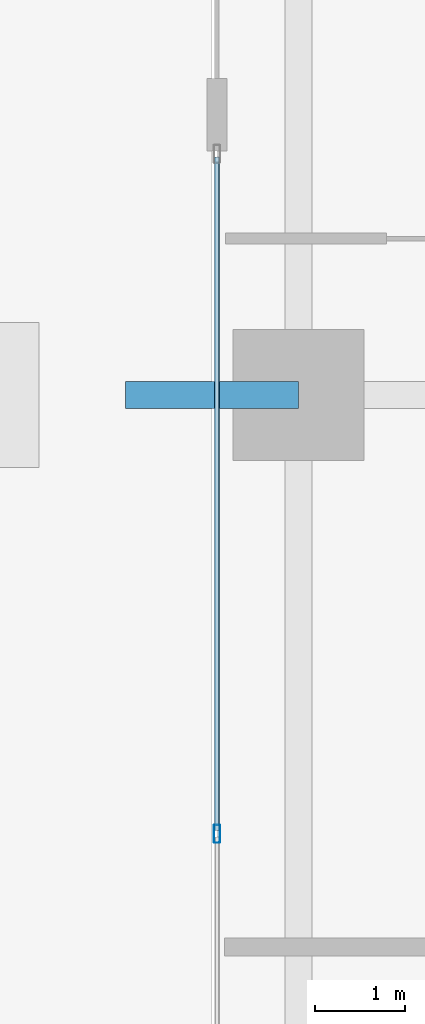
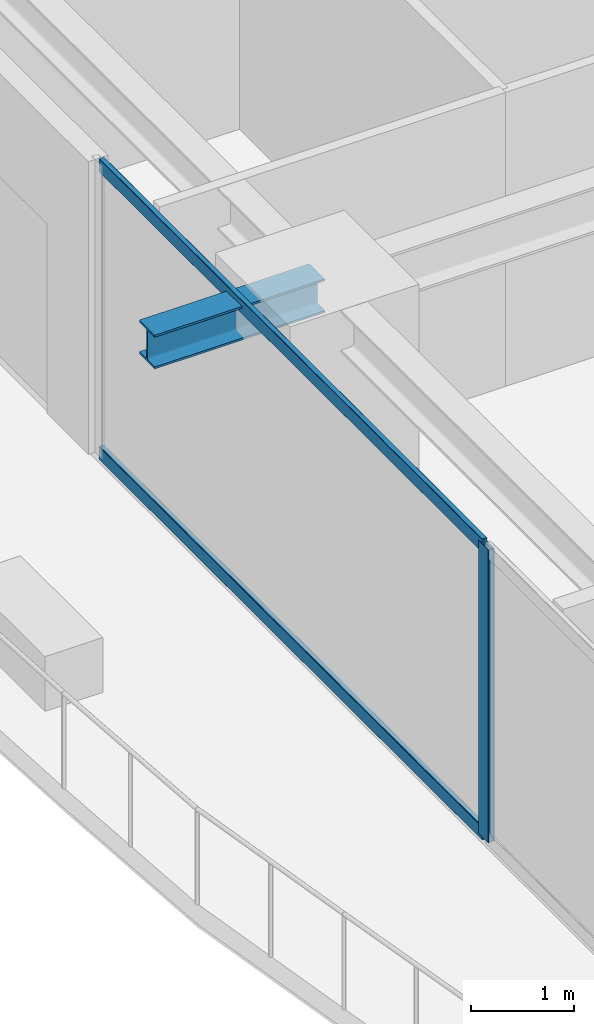
# One storey, part 7 of 41: 3 members, 1 beam, 1 element without a shape of its own.
"""IFC4 building model written with IfcOpenShell, lengths in metres."""

from ifc_helpers import new_model, si_unit, direction, frame, origin, origin_2d, place, context, subcontext, project, spatial, hollow_rectangle, i_section, extrude, source, transform, mapped, material, layer, layer_set, material_profile, profile_set, type_object, element, aggregate, save


model = new_model("IFC4")

# Units and contexts
model_context = context("Model", 3, precision=1e-05, world=origin(), true_north=direction((0.0, 1.0)))
body_context = subcontext(model_context, "Body", "Model", "MODEL_VIEW")
ifc_project = project(units=[si_unit("LENGTHUNIT", "METRE"), si_unit("AREAUNIT", "SQUARE_METRE"), si_unit("VOLUMEUNIT", "CUBIC_METRE"), si_unit("PLANEANGLEUNIT", "RADIAN"), si_unit("MASSUNIT", "GRAM", prefix="KILO")], contexts=[model_context])

# Site, building, storey
site_placement = place(None, origin())
site = spatial("IfcSite", under=ifc_project, at=site_placement, CompositionType="ELEMENT")
building_placement = place(site_placement, origin())
building = spatial("IfcBuilding", under=site, at=building_placement, Name="Serunith Strait Residences", CompositionType="ELEMENT")
storey_placement = place(building_placement, frame((0.0, 0.0, 75.449951171875)))
storey = spatial("IfcBuildingStorey", under=building, at=storey_placement, Name="L18", CompositionType="ELEMENT", Elevation=75.449951171875)

# Beam
ifc_material_1 = material(Name="Steel S355J2", Category="steel")
ifc_material_profile_1 = material_profile(ifc_material_1, i_section(OverallWidth=0.300048828125, OverallDepth=0.39990234375, WebThickness=0.013427734375, FlangeThickness=0.02392578125, FilletRadius=0.027099609375, at=origin_2d()), Name="HEB 400")
ifc_profile_set_1 = profile_set([ifc_material_profile_1], Name="Steel S355J2")
beam_type = type_object("IfcBeamType", Name="BM-HEB400", PredefinedType="BEAM", material=ifc_profile_set_1)
shared_shape_1 = source(origin(), body_context, "Body", "SweptSolid", [
    extrude(i_section(OverallWidth=0.300048828125, OverallDepth=0.39990234375, WebThickness=0.013427734375, FlangeThickness=0.02392578125, FilletRadius=0.027099609375, at=origin_2d()), origin(), (0.0, 0.0, 1.0), 1.909912109375),
])
beam_placement = place(storey_placement, frame((6.89990234375, 21.0, 3.257080078125), z_axis=(-1.0, 0.0, 0.0), x_axis=(0.0, -1.0, 0.0)))
element("IfcBeam", 1, at=beam_placement, inside=storey, type_object=beam_type, Name="L19 Cantilevered Balcony Rib TC-W2", PredefinedType="BEAM", context=body_context, shape_type="MappedRepresentation", body=[
    mapped(shared_shape_1, transform((0.0, 0.0, 0.0), scale=1.0)),
])

# Curtain wall, members
ifc_material_2 = material(Name="Pale-Champagne Anodised Aluminium", Category="aluminium")
ifc_layer = layer(ifc_material_2, 0.199951171875, Name="Pale-Champagne Anodised Aluminium")
ifc_layer_set = layer_set([ifc_layer], Name="Pale-Champagne Anodised Aluminium")
curtain_wall_type = type_object("IfcCurtainWallType", Name="CW-SYS1", PredefinedType="NOTDEFINED", material=ifc_layer_set)
curtain_wall_placement = place(storey_placement, origin())
curtain_wall = element("IfcCurtainWall", 2, at=curtain_wall_placement, inside=storey, type_object=curtain_wall_type, Name="L18 W Unitised Fritted Curtain Wall", PredefinedType="NOTDEFINED")
ifc_material_profile_2 = material_profile(ifc_material_2, hollow_rectangle(XDim=0.070068359375, YDim=0.199951171875, WallThickness=0.00390625, InnerFilletRadius=0.006103515625, OuterFilletRadius=0.010009765625, at=origin_2d()), Name="ALU 200x70x4")
ifc_profile_set_2 = profile_set([ifc_material_profile_2], Name="Pale-Champagne Anodised Aluminium")
member_type_1 = type_object("IfcMemberType", Name="CW-SYS1-MULL", PredefinedType="MULLION", material=ifc_profile_set_2)
shared_shape_2 = source(origin(), body_context, "Body", "SweptSolid", [
    extrude(hollow_rectangle(XDim=0.070068359375, YDim=0.199951171875, WallThickness=0.00390625, InnerFilletRadius=0.006103515625, OuterFilletRadius=0.010009765625, at=origin_2d()), origin(), (0.0, 0.0, 1.0), 3.47509765625),
])
member_1_placement = place(storey_placement, frame((6.0, 16.14990234375, 0.0), z_axis=(0.0, 0.0, 1.0), x_axis=(1.0, 0.0, 0.0)))
member_1 = element("IfcMember", 3, at=member_1_placement, type_object=member_type_1, Name="CW-1 mullion 2", PredefinedType="MULLION", context=body_context, shape_type="MappedRepresentation", body=[
    mapped(shared_shape_2, transform((0.0, 0.0, 0.0), scale=1.0)),
])
ifc_material_profile_3 = material_profile(ifc_material_2, hollow_rectangle(XDim=0.06005859375, YDim=0.159912109375, WallThickness=0.00341796875, InnerFilletRadius=0.00537109375, OuterFilletRadius=0.0087890625, at=origin_2d()), Name="ALU 160x60x3.5")
ifc_profile_set_3 = profile_set([ifc_material_profile_3], Name="Pale-Champagne Anodised Aluminium")
member_type_2 = type_object("IfcMemberType", Name="CW-SYS1-TRAN", PredefinedType="USERDEFINED", material=ifc_profile_set_3)
shared_shape_3 = source(origin(), body_context, "Body", "SweptSolid", [
    extrude(hollow_rectangle(XDim=0.06005859375, YDim=0.159912109375, WallThickness=0.00341796875, InnerFilletRadius=0.00537109375, OuterFilletRadius=0.0087890625, at=origin_2d()), origin(), (0.0, 0.0, 1.0), 7.44482421875),
])
member_2_placement = place(storey_placement, frame((6.0, 23.6298828125, 0.030029296875), z_axis=(0.0, -1.0, 0.0), x_axis=(1.0, 0.0, 0.0)))
member_2 = element("IfcMember", 4, at=member_2_placement, type_object=member_type_2, Name="CW-1 transom 1.1", ObjectType="TRANSOM", PredefinedType="USERDEFINED", context=body_context, shape_type="MappedRepresentation", body=[
    mapped(shared_shape_3, transform((0.0, 0.0, 0.0), scale=1.0)),
])
member_3_placement = place(storey_placement, frame((6.0, 23.6298828125, 3.445068359375), z_axis=(0.0, -1.0, 0.0), x_axis=(1.0, 0.0, 0.0)))
member_3 = element("IfcMember", 5, at=member_3_placement, type_object=member_type_2, Name="CW-1 transom 1.2", ObjectType="TRANSOM", PredefinedType="USERDEFINED", context=body_context, shape_type="MappedRepresentation", body=[
    mapped(shared_shape_3, transform((0.0, 0.0, 0.0), scale=1.0)),
])
aggregate(curtain_wall, [member_1, member_2, member_3])

save(model, "model.ifc")
